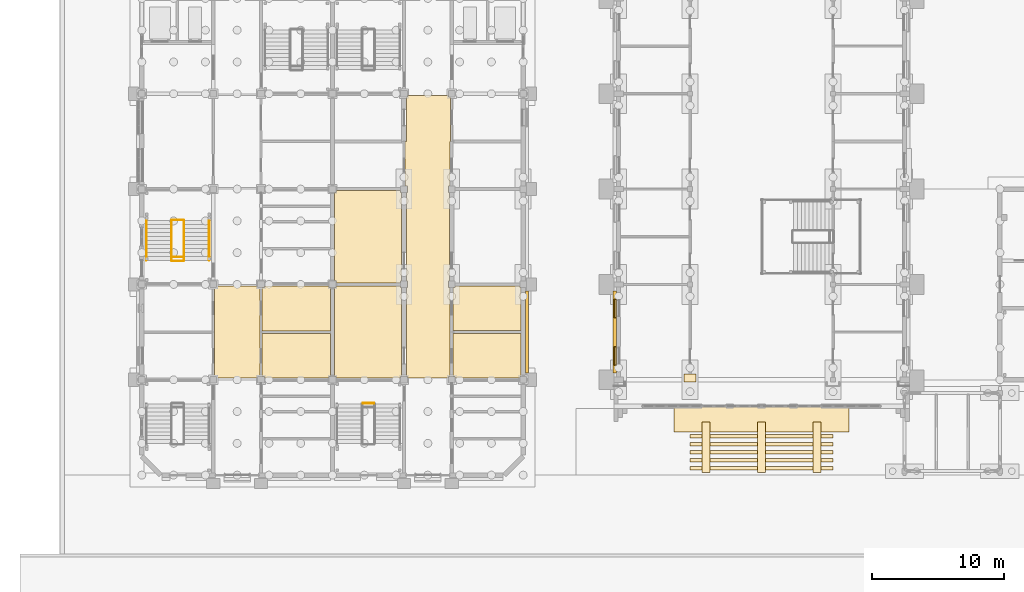
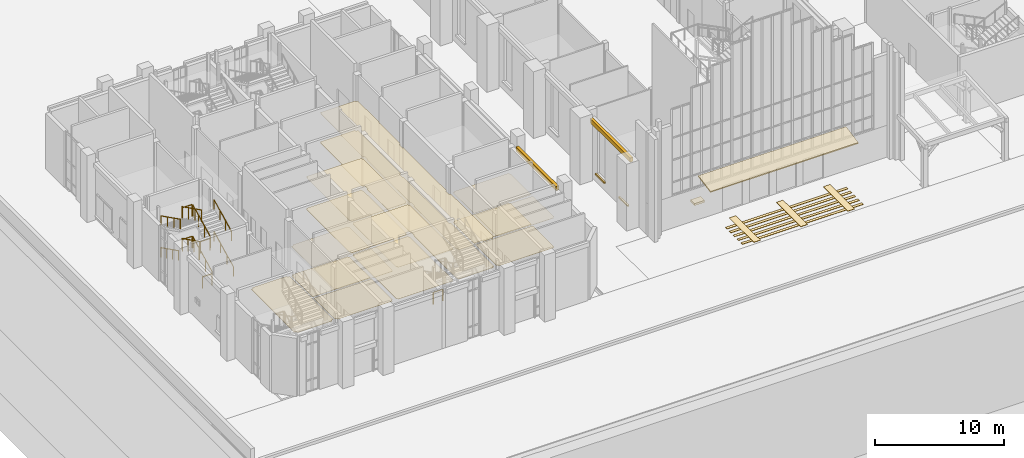
# One storey, part 67 of 84: 29 coverings, 13 railings.
"""IFC4 building model written with IfcOpenShell, lengths in metres."""

from ifc_helpers import new_model, si_unit, direction, frame, origin, origin_2d, place, context, subcontext, project, spatial, polyline, circle, outline, extrude, material, layer, layer_set, type_object, element, save


model = new_model("IFC4")

# Units and contexts
model_context = context("Model", 3, precision=1e-05, world=origin(), true_north=direction((0.0, 1.0)))
body_context = subcontext(model_context, "Body", "Model", "MODEL_VIEW")
ifc_project = project(units=[si_unit("LENGTHUNIT", "METRE"), si_unit("AREAUNIT", "SQUARE_METRE"), si_unit("VOLUMEUNIT", "CUBIC_METRE"), si_unit("PLANEANGLEUNIT", "RADIAN"), si_unit("MASSUNIT", "GRAM", prefix="KILO")], contexts=[model_context])

# Site, building, storey
site_placement = place(None, origin())
site = spatial("IfcSite", under=ifc_project, at=site_placement, CompositionType="ELEMENT")
building_placement = place(site_placement, origin())
building = spatial("IfcBuilding", under=site, at=building_placement, Name="Mazhai Court Health Centre", CompositionType="ELEMENT")
storey_placement = place(building_placement, origin())
storey = spatial("IfcBuildingStorey", under=building, at=storey_placement, Name="L00", CompositionType="ELEMENT", Elevation=0.0)

# Coverings
ifc_material_1 = material(Name="Clay brick masonry", Category="masonry")
ifc_layer_1 = layer(ifc_material_1, 0.25)
ifc_layer_set_1 = layer_set([ifc_layer_1], Name="BRICK BAND 250")
covering_type_1 = type_object("IfcCoveringType", Name="BRICK BAND 250", PredefinedType="MOLDING", material=ifc_layer_set_1)
covering_1_placement = place(storey_placement, frame((0.0, 0.0, 5.0)))
element("IfcCovering", 1, at=covering_1_placement, inside=storey, type_object=covering_type_1, Name="EB-V5-L00-B1p0-0", PredefinedType="MOLDING", context=body_context, shape_type="SweptSolid", body=[
    extrude(outline(polyline([(35.1650390625, 20.10009765625), (35.1650390625, 13.89990234375), (35.4150390625, 13.89990234375), (35.4150390625, 20.10009765625), (35.1650390625, 20.10009765625)])), origin(), (0.0, 0.0, 1.0), 0.39990234375),
])
covering_2_placement = place(storey_placement, frame((0.0, 0.0, 5.3701171875)))
element("IfcCovering", 2, at=covering_2_placement, inside=storey, type_object=covering_type_1, Name="EB-V1-L00-W0-0", PredefinedType="MOLDING", context=body_context, shape_type="SweptSolid", body=[
    extrude(outline(polyline([(42.034912109375, 13.89990234375), (42.034912109375, 20.10009765625), (41.784912109375, 20.10009765625), (41.784912109375, 13.89990234375), (42.034912109375, 13.89990234375)])), origin(), (0.0, 0.0, 1.0), 0.39990234375),
])
ifc_material_2 = material(Name="Clay brick masonry", Category="masonry")
ifc_layer_2 = layer(ifc_material_2, 0.14990234375)
ifc_layer_set_2 = layer_set([ifc_layer_2], Name="BRICK SILL COURSE 150")
covering_type_2 = type_object("IfcCoveringType", Name="BRICK SILL COURSE 150", PredefinedType="MOLDING", material=ifc_layer_set_2)
covering_3_placement = place(storey_placement, frame((0.0, 0.0, 0.780029296875)))
element("IfcCovering", 3, at=covering_3_placement, inside=storey, type_object=covering_type_2, Name="ES-WN-V1-L00-W0a", PredefinedType="MOLDING", context=body_context, shape_type="SweptSolid", body=[
    extrude(outline(polyline([(42.034912109375, 14.5), (42.034912109375, 15.89990234375), (41.885009765625, 15.89990234375), (41.885009765625, 14.5), (42.034912109375, 14.5)])), origin(), (0.0, 0.0, 1.0), 0.119873046875),
])
covering_4_placement = place(storey_placement, frame((0.0, 0.0, 0.780029296875)))
element("IfcCovering", 4, at=covering_4_placement, inside=storey, type_object=covering_type_2, Name="ES-WN-V1-L00-W0b", PredefinedType="MOLDING", context=body_context, shape_type="SweptSolid", body=[
    extrude(outline(polyline([(42.034912109375, 18.10009765625), (42.034912109375, 19.5), (41.885009765625, 19.5), (41.885009765625, 18.10009765625), (42.034912109375, 18.10009765625)])), origin(), (0.0, 0.0, 1.0), 0.119873046875),
])
ifc_material_3 = material(Name="Zinc standing-seam sheet")
ifc_layer_3 = layer(ifc_material_3, 0.1201171875)
ifc_layer_set_3 = layer_set([ifc_layer_3], Name="CANOPY ZINC 120")
covering_type_3 = type_object("IfcCoveringType", Name="CANOPY ZINC 120", PredefinedType="ROOFING", material=ifc_layer_set_3)
covering_5_placement = place(storey_placement, frame((46.39990234375, 11.360107421875, 4.050048828125), z_axis=(0.0, -0.181197806299, 0.983446671148), x_axis=(1.0, 0.0, 0.0)))
element("IfcCovering", 5, at=covering_5_placement, inside=storey, type_object=covering_type_3, Name="Hall entrance canopy", PredefinedType="ROOFING", context=body_context, shape_type="SweptSolid", body=[
    extrude(outline(polyline([(0.0, 0.0), (13.2001953125, 0.0), (13.2001953125, -1.9321296620554262), (0.0, -1.9321296620554262), (0.0, 0.0)])), origin(), (0.0, 0.0, -1.0), 0.1201171875),
])
ifc_material_4 = material(Name="Gypsum plasterboard ceiling")
ifc_layer_4 = layer(ifc_material_4, 0.02001953125)
ifc_layer_set_4 = layer_set([ifc_layer_4], Name="CEILING GYPSUM BOARD 20")
covering_type_4 = type_object("IfcCoveringType", Name="CEILING GYPSUM BOARD 20", PredefinedType="CEILING", material=ifc_layer_set_4)
covering_6_placement = place(storey_placement, frame((0.0, 0.0, 2.800048828125)))
element("IfcCovering", 6, at=covering_6_placement, inside=storey, type_object=covering_type_4, Name="ceil-V2-L00-B0-consent-room", PredefinedType="CEILING", context=body_context, shape_type="SweptSolid", body=[
    extrude(outline(polyline([(20.43505859375, 20.35009765625), (20.35009765625, 20.35009765625), (20.35009765625, 20.47509765625), (15.449951171875, 20.47509765625), (15.449951171875, 20.35009765625), (15.27490234375, 20.35009765625), (15.27490234375, 17.10009765625), (20.43505859375, 17.10009765625), (20.43505859375, 20.35009765625)])), origin(), (0.0, 0.0, 1.0), 0.02001953125),
])
covering_7_placement = place(storey_placement, frame((0.0, 0.0, 3.0)))
element("IfcCovering", 7, at=covering_7_placement, inside=storey, type_object=covering_type_4, Name="ceil-V5-L00-A0-x-ray-room-1", PredefinedType="CEILING", context=body_context, shape_type="SweptSolid", body=[
    extrude(outline(polyline([(25.824951171875, 20.35009765625), (25.75, 20.35009765625), (25.75, 20.485107421875), (20.85009765625, 20.485107421875), (20.85009765625, 20.35009765625), (20.764892578125, 20.35009765625), (20.764892578125, 13.64990234375), (20.85009765625, 13.64990234375), (20.85009765625, 13.52490234375), (25.75, 13.52490234375), (25.75, 13.64990234375), (25.824951171875, 13.64990234375), (25.824951171875, 20.35009765625)])), origin(), (0.0, 0.0, 1.0), 0.02001953125),
])
covering_8_placement = place(storey_placement, frame((0.0, 0.0, 3.0)))
element("IfcCovering", 8, at=covering_8_placement, inside=storey, type_object=covering_type_4, Name="ceil-V5-L00-A0-x-ray-room-2", PredefinedType="CEILING", context=body_context, shape_type="SweptSolid", body=[
    extrude(outline(polyline([(25.824951171875, 27.550048828125), (25.75, 27.550048828125), (25.75, 27.68505859375), (20.85009765625, 27.68505859375), (20.85009765625, 27.550048828125), (20.764892578125, 27.550048828125), (20.764892578125, 20.85009765625), (20.85009765625, 20.85009765625), (20.85009765625, 20.715087890625), (25.75, 20.715087890625), (25.75, 20.85009765625), (25.824951171875, 20.85009765625), (25.824951171875, 27.550048828125)])), origin(), (0.0, 0.0, 1.0), 0.02001953125),
])
covering_9_placement = place(storey_placement, frame((0.0, 0.0, 2.800048828125)))
element("IfcCovering", 9, at=covering_9_placement, inside=storey, type_object=covering_type_4, Name="ceil-V5-L00-B0-mammography-room", PredefinedType="CEILING", context=body_context, shape_type="SweptSolid", body=[
    extrude(outline(polyline([(29.715087890625, 13.64990234375), (29.85009765625, 13.64990234375), (29.85009765625, 13.52490234375), (34.75, 13.52490234375), (34.75, 13.64990234375), (34.8349609375, 13.64990234375), (34.8349609375, 16.885009765625), (29.715087890625, 16.885009765625), (29.715087890625, 13.64990234375)])), origin(), (0.0, 0.0, 1.0), 0.02001953125),
])
covering_10_placement = place(storey_placement, frame((0.0, 0.0, 2.800048828125)))
element("IfcCovering", 10, at=covering_10_placement, inside=storey, type_object=covering_type_4, Name="ceil-V5-L00-B0-dexa-scan-room", PredefinedType="CEILING", context=body_context, shape_type="SweptSolid", body=[
    extrude(outline(polyline([(34.8349609375, 20.35009765625), (34.75, 20.35009765625), (34.75, 20.485107421875), (29.85009765625, 20.485107421875), (29.85009765625, 20.35009765625), (29.715087890625, 20.35009765625), (29.715087890625, 17.114990234375), (34.8349609375, 17.114990234375), (34.8349609375, 20.35009765625)])), origin(), (0.0, 0.0, 1.0), 0.02001953125),
])
ifc_material_5 = material(Name="Mineral fibre ceiling tile")
ifc_layer_5 = layer(ifc_material_5, 0.014892578125)
ifc_layer_set_5 = layer_set([ifc_layer_5], Name="CEILING MINERAL FIBRE TILE 15")
covering_type_5 = type_object("IfcCoveringType", Name="CEILING MINERAL FIBRE TILE 15", PredefinedType="CEILING", material=ifc_layer_set_5)
covering_11_placement = place(storey_placement, frame((0.0, 0.0, 2.800048828125)))
element("IfcCovering", 11, at=covering_11_placement, inside=storey, type_object=covering_type_5, Name="ceil-V5-L00-corridor-0", PredefinedType="CEILING", context=body_context, shape_type="SweptSolid", body=[
    extrude(outline(polyline([(29.35009765625, 13.52490234375), (29.35009765625, 13.64990234375), (29.485107421875, 13.64990234375), (29.485107421875, 20.35009765625), (29.35009765625, 20.35009765625), (29.35009765625, 20.85009765625), (29.425048828125, 20.85009765625), (29.425048828125, 27.550048828125), (29.35009765625, 27.550048828125), (29.35009765625, 28.050048828125), (29.485107421875, 28.050048828125), (29.485107421875, 31.39990234375), (29.52490234375, 31.39990234375), (29.52490234375, 34.75), (29.35009765625, 34.75), (29.35009765625, 34.875), (26.25, 34.875), (26.25, 34.75), (26.175048828125, 34.75), (26.175048828125, 31.39990234375), (26.074951171875, 31.39990234375), (26.074951171875, 28.050048828125), (26.25, 28.050048828125), (26.25, 27.550048828125), (26.175048828125, 27.550048828125), (26.175048828125, 20.85009765625), (26.25, 20.85009765625), (26.25, 20.35009765625), (26.175048828125, 20.35009765625), (26.175048828125, 13.64990234375), (26.25, 13.64990234375), (26.25, 13.52490234375), (29.35009765625, 13.52490234375)])), origin(), (0.0, 0.0, 1.0), 0.014892578125),
])
ifc_material_6 = material(Name="Sealed gypsum plasterboard ceiling")
ifc_layer_6 = layer(ifc_material_6, 0.02490234375)
ifc_layer_set_6 = layer_set([ifc_layer_6], Name="CEILING SEALED GYPSUM BOARD 25")
covering_type_6 = type_object("IfcCoveringType", Name="CEILING SEALED GYPSUM BOARD 25", PredefinedType="CEILING", material=ifc_layer_set_6)
covering_12_placement = place(storey_placement, frame((0.0, 0.0, 2.800048828125)))
element("IfcCovering", 12, at=covering_12_placement, inside=storey, type_object=covering_type_6, Name="ceil-V2-L00-B0-anaesthetic-assessment-room", PredefinedType="CEILING", context=body_context, shape_type="SweptSolid", body=[
    extrude(outline(polyline([(15.27490234375, 13.64990234375), (15.449951171875, 13.64990234375), (15.449951171875, 13.52490234375), (20.35009765625, 13.52490234375), (20.35009765625, 13.64990234375), (20.43505859375, 13.64990234375), (20.43505859375, 16.89990234375), (15.27490234375, 16.89990234375), (15.27490234375, 13.64990234375)])), origin(), (0.0, 0.0, 1.0), 0.02490234375),
])
ifc_material_7 = material(Name="Antistatic vinyl flooring")
ifc_layer_7 = layer(ifc_material_7, 0.02001953125)
ifc_layer_set_7 = layer_set([ifc_layer_7], Name="FLOOR FINISH ANTISTATIC VINYL FLOORING 20")
covering_type_7 = type_object("IfcCoveringType", Name="FLOOR FINISH ANTISTATIC VINYL FLOORING 20", PredefinedType="FLOORING", material=ifc_layer_set_7)
covering_13_placement = place(storey_placement, origin())
element("IfcCovering", 13, at=covering_13_placement, inside=storey, type_object=covering_type_7, Name="floor-V5-L00-A0-x-ray-room-1", PredefinedType="FLOORING", context=body_context, shape_type="SweptSolid", body=[
    extrude(outline(polyline([(25.824951171875, 20.35009765625), (25.75, 20.35009765625), (25.75, 20.485107421875), (20.85009765625, 20.485107421875), (20.85009765625, 20.35009765625), (20.764892578125, 20.35009765625), (20.764892578125, 13.64990234375), (20.85009765625, 13.64990234375), (20.85009765625, 13.52490234375), (25.75, 13.52490234375), (25.75, 13.64990234375), (25.824951171875, 13.64990234375), (25.824951171875, 20.35009765625)])), origin(), (0.0, 0.0, 1.0), 0.02001953125),
])
covering_14_placement = place(storey_placement, origin())
element("IfcCovering", 14, at=covering_14_placement, inside=storey, type_object=covering_type_7, Name="floor-V5-L00-A0-x-ray-room-2", PredefinedType="FLOORING", context=body_context, shape_type="SweptSolid", body=[
    extrude(outline(polyline([(25.824951171875, 27.550048828125), (25.75, 27.550048828125), (25.75, 27.68505859375), (20.85009765625, 27.68505859375), (20.85009765625, 27.550048828125), (20.764892578125, 27.550048828125), (20.764892578125, 20.85009765625), (20.85009765625, 20.85009765625), (20.85009765625, 20.715087890625), (25.75, 20.715087890625), (25.75, 20.85009765625), (25.824951171875, 20.85009765625), (25.824951171875, 27.550048828125)])), origin(), (0.0, 0.0, 1.0), 0.02001953125),
])
covering_15_placement = place(storey_placement, origin())
element("IfcCovering", 15, at=covering_15_placement, inside=storey, type_object=covering_type_7, Name="floor-V5-L00-B0-mammography-room", PredefinedType="FLOORING", context=body_context, shape_type="SweptSolid", body=[
    extrude(outline(polyline([(29.715087890625, 13.64990234375), (29.85009765625, 13.64990234375), (29.85009765625, 13.52490234375), (34.75, 13.52490234375), (34.75, 13.64990234375), (34.8349609375, 13.64990234375), (34.8349609375, 16.885009765625), (29.715087890625, 16.885009765625), (29.715087890625, 13.64990234375)])), origin(), (0.0, 0.0, 1.0), 0.02001953125),
])
covering_16_placement = place(storey_placement, origin())
element("IfcCovering", 16, at=covering_16_placement, inside=storey, type_object=covering_type_7, Name="floor-V5-L00-B0-dexa-scan-room", PredefinedType="FLOORING", context=body_context, shape_type="SweptSolid", body=[
    extrude(outline(polyline([(34.8349609375, 20.35009765625), (34.75, 20.35009765625), (34.75, 20.485107421875), (29.85009765625, 20.485107421875), (29.85009765625, 20.35009765625), (29.715087890625, 20.35009765625), (29.715087890625, 17.114990234375), (34.8349609375, 17.114990234375), (34.8349609375, 20.35009765625)])), origin(), (0.0, 0.0, 1.0), 0.02001953125),
])
ifc_material_8 = material(Name="Linoleum flooring")
ifc_layer_8 = layer(ifc_material_8, 0.02001953125)
ifc_layer_set_8 = layer_set([ifc_layer_8], Name="FLOOR FINISH LINOLEUM FLOORING 20")
covering_type_8 = type_object("IfcCoveringType", Name="FLOOR FINISH LINOLEUM FLOORING 20", PredefinedType="FLOORING", material=ifc_layer_set_8)
covering_17_placement = place(storey_placement, origin())
element("IfcCovering", 17, at=covering_17_placement, inside=storey, type_object=covering_type_8, Name="floor-V2-L00-B0-anaesthetic-assessment-room", PredefinedType="FLOORING", context=body_context, shape_type="SweptSolid", body=[
    extrude(outline(polyline([(15.27490234375, 13.64990234375), (15.449951171875, 13.64990234375), (15.449951171875, 13.52490234375), (20.35009765625, 13.52490234375), (20.35009765625, 13.64990234375), (20.43505859375, 13.64990234375), (20.43505859375, 16.89990234375), (15.27490234375, 16.89990234375), (15.27490234375, 13.64990234375)])), origin(), (0.0, 0.0, 1.0), 0.02001953125),
])
covering_18_placement = place(storey_placement, origin())
element("IfcCovering", 18, at=covering_18_placement, inside=storey, type_object=covering_type_8, Name="floor-V2-L00-B0-consent-room", PredefinedType="FLOORING", context=body_context, shape_type="SweptSolid", body=[
    extrude(outline(polyline([(20.43505859375, 20.35009765625), (20.35009765625, 20.35009765625), (20.35009765625, 20.47509765625), (15.449951171875, 20.47509765625), (15.449951171875, 20.35009765625), (15.27490234375, 20.35009765625), (15.27490234375, 17.10009765625), (20.43505859375, 17.10009765625), (20.43505859375, 20.35009765625)])), origin(), (0.0, 0.0, 1.0), 0.02001953125),
])
ifc_material_9 = material(Name="Terrazzo flooring")
ifc_layer_9 = layer(ifc_material_9, 0.0400390625)
ifc_layer_set_9 = layer_set([ifc_layer_9], Name="FLOOR FINISH TERRAZZO FLOORING 40")
covering_type_9 = type_object("IfcCoveringType", Name="FLOOR FINISH TERRAZZO FLOORING 40", PredefinedType="FLOORING", material=ifc_layer_set_9)
covering_19_placement = place(storey_placement, origin())
element("IfcCovering", 19, at=covering_19_placement, inside=storey, type_object=covering_type_9, Name="floor-V2-L00-corridor-0", PredefinedType="FLOORING", context=body_context, shape_type="SweptSolid", body=[
    extrude(outline(polyline([(14.949951171875, 13.52490234375), (14.949951171875, 13.64990234375), (15.125, 13.64990234375), (15.125, 20.35009765625), (14.949951171875, 20.35009765625), (14.949951171875, 20.47509765625), (11.85009765625, 20.47509765625), (11.85009765625, 20.35009765625), (11.675048828125, 20.35009765625), (11.675048828125, 13.64990234375), (11.85009765625, 13.64990234375), (11.85009765625, 13.52490234375), (14.949951171875, 13.52490234375)])), origin(), (0.0, 0.0, 1.0), 0.0400390625),
])
covering_20_placement = place(storey_placement, origin())
element("IfcCovering", 20, at=covering_20_placement, inside=storey, type_object=covering_type_9, Name="floor-V5-L00-corridor-0", PredefinedType="FLOORING", context=body_context, shape_type="SweptSolid", body=[
    extrude(outline(polyline([(29.35009765625, 13.52490234375), (29.35009765625, 13.64990234375), (29.485107421875, 13.64990234375), (29.485107421875, 20.35009765625), (29.35009765625, 20.35009765625), (29.35009765625, 20.85009765625), (29.425048828125, 20.85009765625), (29.425048828125, 27.550048828125), (29.35009765625, 27.550048828125), (29.35009765625, 28.050048828125), (29.485107421875, 28.050048828125), (29.485107421875, 31.39990234375), (29.52490234375, 31.39990234375), (29.52490234375, 34.75), (29.35009765625, 34.75), (29.35009765625, 34.875), (26.25, 34.875), (26.25, 34.75), (26.175048828125, 34.75), (26.175048828125, 31.39990234375), (26.074951171875, 31.39990234375), (26.074951171875, 28.050048828125), (26.25, 28.050048828125), (26.25, 27.550048828125), (26.175048828125, 27.550048828125), (26.175048828125, 20.85009765625), (26.25, 20.85009765625), (26.25, 20.35009765625), (26.175048828125, 20.35009765625), (26.175048828125, 13.64990234375), (26.25, 13.64990234375), (26.25, 13.52490234375), (29.35009765625, 13.52490234375)])), origin(), (0.0, 0.0, 1.0), 0.0400390625),
])
ifc_material_10 = material(Name="Granite setts", Category="masonry")
ifc_layer_10 = layer(ifc_material_10, 0.030029296875)
ifc_layer_set_10 = layer_set([ifc_layer_10], Name="GRANITE PAVING INLAY 30")
covering_type_10 = type_object("IfcCoveringType", Name="GRANITE PAVING INLAY 30", PredefinedType="FLOORING", material=ifc_layer_set_10)
covering_21_placement = place(storey_placement, origin())
element("IfcCovering", 21, at=covering_21_placement, inside=storey, type_object=covering_type_10, Name="Hall approach inlay 1", PredefinedType="FLOORING", context=body_context, shape_type="SweptSolid", body=[
    extrude(outline(polyline([(48.5, 6.39990234375), (49.10009765625, 6.39990234375), (49.10009765625, 10.199951171875), (48.5, 10.199951171875), (48.5, 6.39990234375)])), origin(), (0.0, 0.0, 1.0), 0.030029296875),
])
covering_22_placement = place(storey_placement, origin())
element("IfcCovering", 22, at=covering_22_placement, inside=storey, type_object=covering_type_10, Name="Hall approach inlay 2", PredefinedType="FLOORING", context=body_context, shape_type="SweptSolid", body=[
    extrude(outline(polyline([(52.699951171875, 6.39990234375), (53.300048828125, 6.39990234375), (53.300048828125, 10.199951171875), (52.699951171875, 10.199951171875), (52.699951171875, 6.39990234375)])), origin(), (0.0, 0.0, 1.0), 0.030029296875),
])
covering_23_placement = place(storey_placement, origin())
element("IfcCovering", 23, at=covering_23_placement, inside=storey, type_object=covering_type_10, Name="Hall approach inlay 3", PredefinedType="FLOORING", context=body_context, shape_type="SweptSolid", body=[
    extrude(outline(polyline([(56.89990234375, 6.39990234375), (57.5, 6.39990234375), (57.5, 10.199951171875), (56.89990234375, 10.199951171875), (56.89990234375, 6.39990234375)])), origin(), (0.0, 0.0, 1.0), 0.030029296875),
])
covering_24_placement = place(storey_placement, origin())
element("IfcCovering", 24, at=covering_24_placement, inside=storey, type_object=covering_type_10, Name="Hall approach band 1", PredefinedType="FLOORING", context=body_context, shape_type="SweptSolid", body=[
    extrude(outline(polyline([(47.60009765625, 9.0), (58.39990234375, 9.0), (58.39990234375, 9.25), (47.60009765625, 9.25), (47.60009765625, 9.0)])), origin(), (0.0, 0.0, 1.0), 0.030029296875),
])
covering_25_placement = place(storey_placement, origin())
element("IfcCovering", 25, at=covering_25_placement, inside=storey, type_object=covering_type_10, Name="Hall approach band 2", PredefinedType="FLOORING", context=body_context, shape_type="SweptSolid", body=[
    extrude(outline(polyline([(47.60009765625, 8.39990234375), (58.39990234375, 8.39990234375), (58.39990234375, 8.64990234375), (47.60009765625, 8.64990234375), (47.60009765625, 8.39990234375)])), origin(), (0.0, 0.0, 1.0), 0.030029296875),
])
covering_26_placement = place(storey_placement, origin())
element("IfcCovering", 26, at=covering_26_placement, inside=storey, type_object=covering_type_10, Name="Hall approach band 3", PredefinedType="FLOORING", context=body_context, shape_type="SweptSolid", body=[
    extrude(outline(polyline([(47.60009765625, 7.800048828125), (58.39990234375, 7.800048828125), (58.39990234375, 8.050048828125), (47.60009765625, 8.050048828125), (47.60009765625, 7.800048828125)])), origin(), (0.0, 0.0, 1.0), 0.030029296875),
])
covering_27_placement = place(storey_placement, origin())
element("IfcCovering", 27, at=covering_27_placement, inside=storey, type_object=covering_type_10, Name="Hall approach band 4", PredefinedType="FLOORING", context=body_context, shape_type="SweptSolid", body=[
    extrude(outline(polyline([(47.60009765625, 7.199951171875), (58.39990234375, 7.199951171875), (58.39990234375, 7.449951171875), (47.60009765625, 7.449951171875), (47.60009765625, 7.199951171875)])), origin(), (0.0, 0.0, 1.0), 0.030029296875),
])
covering_28_placement = place(storey_placement, origin())
element("IfcCovering", 28, at=covering_28_placement, inside=storey, type_object=covering_type_10, Name="Hall approach band 5", PredefinedType="FLOORING", context=body_context, shape_type="SweptSolid", body=[
    extrude(outline(polyline([(47.60009765625, 6.60009765625), (58.39990234375, 6.60009765625), (58.39990234375, 6.85009765625), (47.60009765625, 6.85009765625), (47.60009765625, 6.60009765625)])), origin(), (0.0, 0.0, 1.0), 0.030029296875),
])
ifc_material_11 = material(Name="Planted topsoil and lawn")
ifc_layer_11 = layer(ifc_material_11, 0.199951171875)
ifc_layer_set_11 = layer_set([ifc_layer_11], Name="SITE GROUND PLANTED SOIL 200")
covering_type_11 = type_object("IfcCoveringType", Name="SITE GROUND PLANTED SOIL 200", PredefinedType="FLOORING", material=ifc_layer_set_11)
covering_29_placement = place(storey_placement, frame((0.0, 0.0, -0.199951171875)))
element("IfcCovering", 29, at=covering_29_placement, inside=storey, type_object=covering_type_11, Name="Site ground 4", PredefinedType="FLOORING", context=body_context, shape_type="SweptSolid", body=[
    extrude(outline(polyline([(48.050048828125, 13.85009765625), (48.050048828125, 13.235107421875), (47.14990234375, 13.235107421875), (47.14990234375, 13.85009765625), (48.050048828125, 13.85009765625)])), origin(), (0.0, 0.0, 1.0), 0.199951171875),
])

# Railings
ifc_material_12 = material(Name="Steel IS 2062 E250", Category="steel")
railing_type_1 = type_object("IfcRailingType", Name="STAIR GUARD 1100", PredefinedType="GUARDRAIL", material=ifc_material_12)
railing_1_placement = place(storey_placement, frame((9.39501953125, 22.425048828125, 0.14990234375)))
element("IfcRailing", 30, at=railing_1_placement, inside=storey, type_object=railing_type_1, Name="L00 ST2 stair guard 1", PredefinedType="GUARDRAIL", context=body_context, shape_type="SweptSolid", body=[
    extrude(circle(Radius=0.02392578125, at=origin_2d()), frame((0.0, 0.0, 1.076171875), z_axis=(0.0, 0.894427191, 0.4472135955), x_axis=(-1.0, 0.0, 0.0)), (0.0, 0.0, 1.0), 3.35400390625),
    extrude(circle(Radius=0.02099609375, at=origin_2d()), origin(), (0.0, 0.0, 1.0), 1.052001953125),
    extrude(circle(Radius=0.02099609375, at=origin_2d()), frame((0.0, 1.0, 0.5)), (0.0, 0.0, 1.0), 1.052001953125),
    extrude(circle(Radius=0.02099609375, at=origin_2d()), frame((0.0, 2.0, 1.0)), (0.0, 0.0, 1.0), 1.052001953125),
    extrude(circle(Radius=0.02099609375, at=origin_2d()), frame((0.0, 3.0, 1.5)), (0.0, 0.0, 1.0), 1.052001953125),
])
railing_2_placement = place(storey_placement, frame((9.344970703125, 25.47509765625, 1.64990234375)))
element("IfcRailing", 31, at=railing_2_placement, inside=storey, type_object=railing_type_1, Name="L00 ST2 stair guard 2", PredefinedType="GUARDRAIL", context=body_context, shape_type="SweptSolid", body=[
    extrude(circle(Radius=0.02392578125, at=origin_2d()), frame((0.0, 0.0, 1.076171875), z_axis=(-1.0, 0.0, 0.0), x_axis=(0.0, -1.0, 0.0)), (0.0, 0.0, 1.0), 0.849853515625),
    extrude(circle(Radius=0.02099609375, at=origin_2d()), origin(), (0.0, 0.0, 1.0), 1.052001953125),
    extrude(circle(Radius=0.02099609375, at=origin_2d()), frame((-0.849853515625, 0.0, 0.0)), (0.0, 0.0, 1.0), 1.052001953125),
])
railing_3_placement = place(storey_placement, frame((8.445068359375, 25.425048828125, 1.800048828125)))
element("IfcRailing", 32, at=railing_3_placement, inside=storey, type_object=railing_type_1, Name="L00 ST2 stair guard 3", PredefinedType="GUARDRAIL", context=body_context, shape_type="SweptSolid", body=[
    extrude(circle(Radius=0.02392578125, at=origin_2d()), frame((0.0, 0.0, 1.076171875), z_axis=(0.0, -0.89444336626, 0.447181243517), x_axis=(1.0, 0.0, 0.0)), (0.0, 0.0, 1.0), 3.0185546875),
    extrude(circle(Radius=0.02099609375, at=origin_2d()), origin(), (0.0, 0.0, 1.0), 1.052001953125),
    extrude(circle(Radius=0.02099609375, at=origin_2d()), frame((0.0, -0.89990234375, 0.449951171875)), (0.0, 0.0, 1.0), 1.052001953125),
    extrude(circle(Radius=0.02099609375, at=origin_2d()), frame((0.0, -1.800048828125, 0.89990234375)), (0.0, 0.0, 1.0), 1.052001953125),
    extrude(circle(Radius=0.02099609375, at=origin_2d()), frame((0.0, -2.699951171875, 1.349853515625)), (0.0, 0.0, 1.0), 1.052001953125),
])
railing_4_placement = place(storey_placement, frame((9.344970703125, 22.675048828125, 3.14990234375)))
element("IfcRailing", 33, at=railing_4_placement, inside=storey, type_object=railing_type_1, Name="L00 ST2 stair guard 4", PredefinedType="GUARDRAIL", context=body_context, shape_type="SweptSolid", body=[
    extrude(circle(Radius=0.02392578125, at=origin_2d()), frame((0.0, 0.0, 1.076171875), z_axis=(-1.0, 0.0, 0.0), x_axis=(0.0, -1.0, 0.0)), (0.0, 0.0, 1.0), 0.849853515625),
    extrude(circle(Radius=0.02099609375, at=origin_2d()), origin(), (0.0, 0.0, 1.0), 1.052001953125),
    extrude(circle(Radius=0.02099609375, at=origin_2d()), frame((-0.849853515625, 0.0, 0.0)), (0.0, 0.0, 1.0), 1.052001953125),
])
railing_5_placement = place(storey_placement, frame((9.39501953125, 22.72509765625, 3.300048828125)))
element("IfcRailing", 34, at=railing_5_placement, inside=storey, type_object=railing_type_1, Name="L00 ST2 stair guard 5", PredefinedType="GUARDRAIL", context=body_context, shape_type="SweptSolid", body=[
    extrude(circle(Radius=0.02392578125, at=origin_2d()), frame((0.0, 0.0, 1.076171875), z_axis=(0.0, 0.89444336626, 0.447181243517), x_axis=(-1.0, 0.0, 0.0)), (0.0, 0.0, 1.0), 3.0185546875),
    extrude(circle(Radius=0.02099609375, at=origin_2d()), origin(), (0.0, 0.0, 1.0), 1.052001953125),
    extrude(circle(Radius=0.02099609375, at=origin_2d()), frame((0.0, 0.89990234375, 0.449951171875)), (0.0, 0.0, 1.0), 1.052001953125),
    extrude(circle(Radius=0.02099609375, at=origin_2d()), frame((0.0, 1.800048828125, 0.89990234375)), (0.0, 0.0, 1.0), 1.052001953125),
    extrude(circle(Radius=0.02099609375, at=origin_2d()), frame((0.0, 2.699951171875, 1.349853515625)), (0.0, 0.0, 1.0), 1.052001953125),
])
railing_6_placement = place(storey_placement, frame((9.344970703125, 25.47509765625, 4.64990234375)))
element("IfcRailing", 35, at=railing_6_placement, inside=storey, type_object=railing_type_1, Name="L00 ST2 stair guard 6", PredefinedType="GUARDRAIL", context=body_context, shape_type="SweptSolid", body=[
    extrude(circle(Radius=0.02392578125, at=origin_2d()), frame((0.0, 0.0, 1.076171875), z_axis=(-1.0, 0.0, 0.0), x_axis=(0.0, -1.0, 0.0)), (0.0, 0.0, 1.0), 0.849853515625),
    extrude(circle(Radius=0.02099609375, at=origin_2d()), origin(), (0.0, 0.0, 1.0), 1.052001953125),
    extrude(circle(Radius=0.02099609375, at=origin_2d()), frame((-0.849853515625, 0.0, 0.0)), (0.0, 0.0, 1.0), 1.052001953125),
])
railing_7_placement = place(storey_placement, frame((8.445068359375, 25.425048828125, 4.800048828125)))
element("IfcRailing", 36, at=railing_7_placement, inside=storey, type_object=railing_type_1, Name="L00 ST2 stair guard 7", PredefinedType="GUARDRAIL", context=body_context, shape_type="SweptSolid", body=[
    extrude(circle(Radius=0.02392578125, at=origin_2d()), frame((0.0, 0.0, 1.076171875), z_axis=(0.0, -0.894427191, 0.4472135955), x_axis=(1.0, 0.0, 0.0)), (0.0, 0.0, 1.0), 3.35400390625),
    extrude(circle(Radius=0.02099609375, at=origin_2d()), origin(), (0.0, 0.0, 1.0), 1.052001953125),
    extrude(circle(Radius=0.02099609375, at=origin_2d()), frame((0.0, -1.0, 0.5)), (0.0, 0.0, 1.0), 1.052001953125),
    extrude(circle(Radius=0.02099609375, at=origin_2d()), frame((0.0, -2.0, 1.0)), (0.0, 0.0, 1.0), 1.052001953125),
    extrude(circle(Radius=0.02099609375, at=origin_2d()), frame((0.0, -3.0, 1.5)), (0.0, 0.0, 1.0), 1.052001953125),
])
railing_8_placement = place(storey_placement, frame((9.344970703125, 22.375, 0.0)))
element("IfcRailing", 37, at=railing_8_placement, inside=storey, type_object=railing_type_1, Name="L00 ST2 stair guard 8", PredefinedType="GUARDRAIL", context=body_context, shape_type="SweptSolid", body=[
    extrude(circle(Radius=0.02392578125, at=origin_2d()), frame((0.0, 0.0, 1.076171875), z_axis=(-1.0, 0.0, 0.0), x_axis=(0.0, -1.0, 0.0)), (0.0, 0.0, 1.0), 0.849853515625),
    extrude(circle(Radius=0.02099609375, at=origin_2d()), origin(), (0.0, 0.0, 1.0), 1.052001953125),
    extrude(circle(Radius=0.02099609375, at=origin_2d()), frame((-0.849853515625, 0.0, 0.0)), (0.0, 0.0, 1.0), 1.052001953125),
])
railing_9_placement = place(storey_placement, frame((22.89501953125, 11.625, 0.0)))
element("IfcRailing", 38, at=railing_9_placement, inside=storey, type_object=railing_type_1, Name="L00 ST4 stair guard 8", PredefinedType="GUARDRAIL", context=body_context, shape_type="SweptSolid", body=[
    extrude(circle(Radius=0.02392578125, at=origin_2d()), frame((0.0, 0.0, 1.076171875), z_axis=(1.0, 0.0, 0.0), x_axis=(0.0, 1.0, 0.0)), (0.0, 0.0, 1.0), 0.85009765625),
    extrude(circle(Radius=0.02099609375, at=origin_2d()), origin(), (0.0, 0.0, 1.0), 1.052001953125),
    extrude(circle(Radius=0.02099609375, at=origin_2d()), frame((0.85009765625, 0.0, 0.0)), (0.0, 0.0, 1.0), 1.052001953125),
])
ifc_material_13 = material(Name="Steel IS 2062 E250", Category="steel")
railing_type_2 = type_object("IfcRailingType", Name="STAIR HANDRAIL 900", PredefinedType="HANDRAIL", material=ifc_material_13)
railing_10_placement = place(storey_placement, frame((11.294921875, 22.425048828125, 0.14990234375)))
element("IfcRailing", 39, at=railing_10_placement, inside=storey, type_object=railing_type_2, Name="L00 ST2 stair handrail 1", PredefinedType="HANDRAIL", context=body_context, shape_type="SweptSolid", body=[
    extrude(circle(Radius=0.02392578125, at=origin_2d()), frame((0.0, 0.0, 0.8759765625), z_axis=(0.0, 0.894427191, 0.4472135955), x_axis=(-1.0, 0.0, 0.0)), (0.0, 0.0, 1.0), 3.35400390625),
    extrude(circle(Radius=0.02099609375, at=origin_2d()), origin(), (0.0, 0.0, 1.0), 0.851806640625),
    extrude(circle(Radius=0.02099609375, at=origin_2d()), frame((0.0, 1.0, 0.5)), (0.0, 0.0, 1.0), 0.851806640625),
    extrude(circle(Radius=0.02099609375, at=origin_2d()), frame((0.0, 2.0, 1.0)), (0.0, 0.0, 1.0), 0.851806640625),
    extrude(circle(Radius=0.02099609375, at=origin_2d()), frame((0.0, 3.0, 1.5)), (0.0, 0.0, 1.0), 0.851806640625),
])
railing_11_placement = place(storey_placement, frame((6.544921875, 25.425048828125, 1.800048828125)))
element("IfcRailing", 40, at=railing_11_placement, inside=storey, type_object=railing_type_2, Name="L00 ST2 stair handrail 2", PredefinedType="HANDRAIL", context=body_context, shape_type="SweptSolid", body=[
    extrude(circle(Radius=0.02392578125, at=origin_2d()), frame((0.0, 0.0, 0.8759765625), z_axis=(0.0, -0.89444336626, 0.447181243517), x_axis=(1.0, 0.0, 0.0)), (0.0, 0.0, 1.0), 3.0185546875),
    extrude(circle(Radius=0.02099609375, at=origin_2d()), origin(), (0.0, 0.0, 1.0), 0.851806640625),
    extrude(circle(Radius=0.02099609375, at=origin_2d()), frame((0.0, -0.89990234375, 0.449951171875)), (0.0, 0.0, 1.0), 0.851806640625),
    extrude(circle(Radius=0.02099609375, at=origin_2d()), frame((0.0, -1.800048828125, 0.89990234375)), (0.0, 0.0, 1.0), 0.851806640625),
    extrude(circle(Radius=0.02099609375, at=origin_2d()), frame((0.0, -2.699951171875, 1.349853515625)), (0.0, 0.0, 1.0), 0.851806640625),
])
railing_12_placement = place(storey_placement, frame((11.294921875, 22.72509765625, 3.300048828125)))
element("IfcRailing", 41, at=railing_12_placement, inside=storey, type_object=railing_type_2, Name="L00 ST2 stair handrail 3", PredefinedType="HANDRAIL", context=body_context, shape_type="SweptSolid", body=[
    extrude(circle(Radius=0.02392578125, at=origin_2d()), frame((0.0, 0.0, 0.8759765625), z_axis=(0.0, 0.89444336626, 0.447181243517), x_axis=(-1.0, 0.0, 0.0)), (0.0, 0.0, 1.0), 3.0185546875),
    extrude(circle(Radius=0.02099609375, at=origin_2d()), origin(), (0.0, 0.0, 1.0), 0.851806640625),
    extrude(circle(Radius=0.02099609375, at=origin_2d()), frame((0.0, 0.89990234375, 0.449951171875)), (0.0, 0.0, 1.0), 0.851806640625),
    extrude(circle(Radius=0.02099609375, at=origin_2d()), frame((0.0, 1.800048828125, 0.89990234375)), (0.0, 0.0, 1.0), 0.851806640625),
    extrude(circle(Radius=0.02099609375, at=origin_2d()), frame((0.0, 2.699951171875, 1.349853515625)), (0.0, 0.0, 1.0), 0.851806640625),
])
railing_13_placement = place(storey_placement, frame((6.544921875, 25.425048828125, 4.800048828125)))
element("IfcRailing", 42, at=railing_13_placement, inside=storey, type_object=railing_type_2, Name="L00 ST2 stair handrail 4", PredefinedType="HANDRAIL", context=body_context, shape_type="SweptSolid", body=[
    extrude(circle(Radius=0.02392578125, at=origin_2d()), frame((0.0, 0.0, 0.8759765625), z_axis=(0.0, -0.894427191, 0.4472135955), x_axis=(1.0, 0.0, 0.0)), (0.0, 0.0, 1.0), 3.35400390625),
    extrude(circle(Radius=0.02099609375, at=origin_2d()), origin(), (0.0, 0.0, 1.0), 0.851806640625),
    extrude(circle(Radius=0.02099609375, at=origin_2d()), frame((0.0, -1.0, 0.5)), (0.0, 0.0, 1.0), 0.851806640625),
    extrude(circle(Radius=0.02099609375, at=origin_2d()), frame((0.0, -2.0, 1.0)), (0.0, 0.0, 1.0), 0.851806640625),
    extrude(circle(Radius=0.02099609375, at=origin_2d()), frame((0.0, -3.0, 1.5)), (0.0, 0.0, 1.0), 0.851806640625),
])

save(model, "model.ifc")
